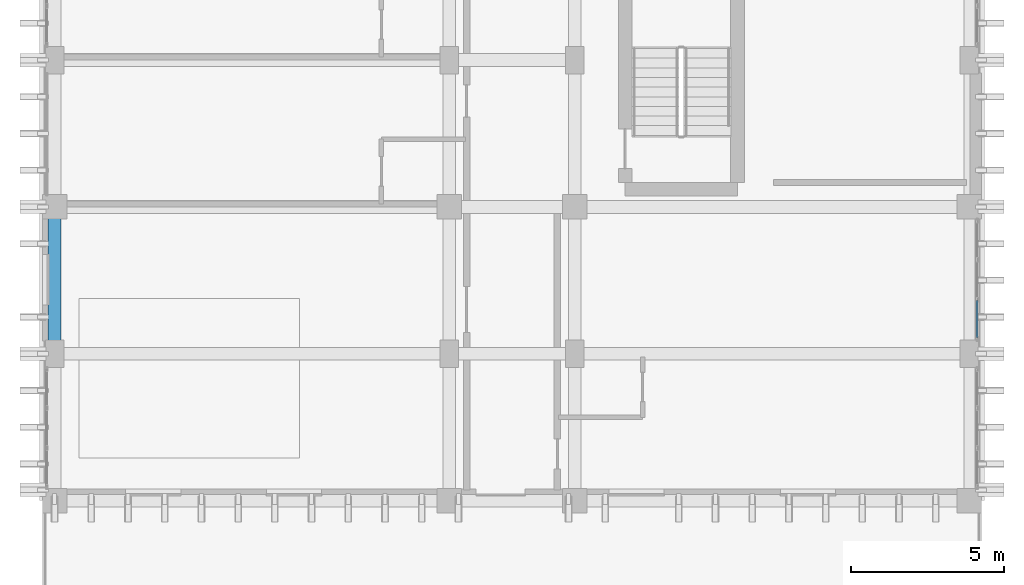
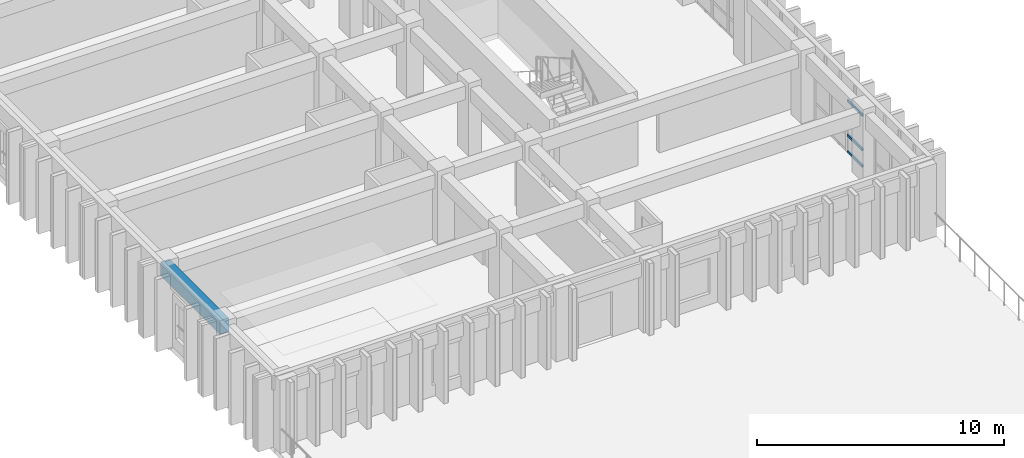
# One storey, part 5 of 82: 3 members, 1 beam, 1 element without a shape of its own.
"""IFC4 building model written with IfcOpenShell, lengths in metres."""

from ifc_helpers import new_model, si_unit, direction, frame, origin, origin_2d, place, context, subcontext, project, spatial, rectangle, hollow_rectangle, extrude, material, layer, layer_set, material_profile, profile_set, type_object, element, aggregate, save


model = new_model("IFC4")

# Units and contexts
model_context = context("Model", 3, precision=1e-05, world=origin(), true_north=direction((0.0, 1.0)))
body_context = subcontext(model_context, "Body", "Model", "MODEL_VIEW")
ifc_project = project(units=[si_unit("LENGTHUNIT", "METRE"), si_unit("AREAUNIT", "SQUARE_METRE"), si_unit("VOLUMEUNIT", "CUBIC_METRE"), si_unit("PLANEANGLEUNIT", "RADIAN"), si_unit("MASSUNIT", "GRAM", prefix="KILO")], contexts=[model_context])

# Site, building, storey
site_placement = place(None, origin())
site = spatial("IfcSite", under=ifc_project, at=site_placement, CompositionType="ELEMENT")
building_placement = place(site_placement, origin())
building = spatial("IfcBuilding", under=site, at=building_placement, Name="Nakhvara Creek Congress Hotel", CompositionType="ELEMENT")
storey_placement = place(building_placement, frame((0.0, 0.0, 21.0)))
storey = spatial("IfcBuildingStorey", under=building, at=storey_placement, Name="L04", CompositionType="ELEMENT", Elevation=21.0)

# Beam
ifc_material_1 = material(Name="Concrete C40/50", Category="concrete")
ifc_material_profile_1 = material_profile(ifc_material_1, rectangle(XDim=0.419921875, YDim=0.679931640625, at=origin_2d()), Name="RC-BM 420x680", Category="LoadBearing")
ifc_profile_set_1 = profile_set([ifc_material_profile_1], Name="Concrete C40/50")
beam_type = type_object("IfcBeamType", Name="BM-RC-420X680", PredefinedType="BEAM", material=ifc_profile_set_1)
beam_placement = place(storey_placement, frame((149.449951171875, 24.0, 3.0), z_axis=(0.0, 1.0, 0.0), x_axis=(-1.0, 0.0, 0.0)))
element("IfcBeam", 1, at=beam_placement, inside=storey, type_object=beam_type, Name="Beam B11-L04-1912", PredefinedType="BEAM", context=body_context, shape_type="SweptSolid", body=[
    extrude(rectangle(XDim=0.419921875, YDim=0.679931640625, at=origin_2d()), origin(), (0.0, 0.0, 1.0), 4.800048828125),
])

# Curtain wall, members
ifc_material_2 = material(Name="Bronze-anodised aluminium AW-6063-T6 and double-silver low-E glass", Category="aluminium")
ifc_layer = layer(ifc_material_2, 0.199951171875)
ifc_layer_set = layer_set([ifc_layer], Name="Bronze-anodised aluminium AW-6063-T6 and double-silver low-E glass")
curtain_wall_type = type_object("IfcCurtainWallType", Name="CW-HTL-UNIT", PredefinedType="USERDEFINED", material=ifc_layer_set)
curtain_wall_placement = place(storey_placement, origin())
curtain_wall = element("IfcCurtainWall", 2, at=curtain_wall_placement, inside=storey, type_object=curtain_wall_type, Name="Curtain Wall CW174", ObjectType="UNITISED", PredefinedType="USERDEFINED")
ifc_material_3 = material(Name="Bronze-anodised aluminium AW-6063-T6", Category="aluminium")
ifc_material_profile_2 = material_profile(ifc_material_3, hollow_rectangle(XDim=0.06494140625, YDim=0.1201171875, WallThickness=0.00390625, at=origin_2d()), Name="ALU-TRAN 65x120x4", Category="LoadBearing")
ifc_profile_set_2 = profile_set([ifc_material_profile_2], Name="Bronze-anodised aluminium AW-6063-T6")
member_type = type_object("IfcMemberType", Name="CW-TRAN-120", PredefinedType="USERDEFINED", material=ifc_profile_set_2)
member_1_placement = place(storey_placement, frame((179.60009765625, 25.7392578125, 0.032470703125), z_axis=(0.0, -1.0, 0.0), x_axis=(1.0, 0.0, 0.0)))
member_1 = element("IfcMember", 3, at=member_1_placement, type_object=member_type, Name="CW174 transom 3.1", ObjectType="TRANSOM", PredefinedType="USERDEFINED", context=body_context, shape_type="SweptSolid", body=[
    extrude(hollow_rectangle(XDim=0.06494140625, YDim=0.1201171875, WallThickness=0.00390625, at=origin_2d()), origin(), (0.0, 0.0, 1.0), 1.209228515625),
])
member_2_placement = place(storey_placement, frame((179.60009765625, 25.7392578125, 0.85009765625), z_axis=(0.0, -1.0, 0.0), x_axis=(1.0, 0.0, 0.0)))
member_2 = element("IfcMember", 4, at=member_2_placement, type_object=member_type, Name="CW174 transom 3.2", ObjectType="TRANSOM", PredefinedType="USERDEFINED", context=body_context, shape_type="SweptSolid", body=[
    extrude(hollow_rectangle(XDim=0.06494140625, YDim=0.1201171875, WallThickness=0.00390625, at=origin_2d()), origin(), (0.0, 0.0, 1.0), 1.209228515625),
])
member_3_placement = place(storey_placement, frame((179.60009765625, 25.7392578125, 2.549560546875), z_axis=(0.0, -1.0, 0.0), x_axis=(1.0, 0.0, 0.0)))
member_3 = element("IfcMember", 5, at=member_3_placement, type_object=member_type, Name="CW174 transom 3.3", ObjectType="TRANSOM", PredefinedType="USERDEFINED", context=body_context, shape_type="SweptSolid", body=[
    extrude(hollow_rectangle(XDim=0.06494140625, YDim=0.1201171875, WallThickness=0.00390625, at=origin_2d()), origin(), (0.0, 0.0, 1.0), 1.209228515625),
])
aggregate(curtain_wall, [member_1, member_2, member_3])

save(model, "model.ifc")
